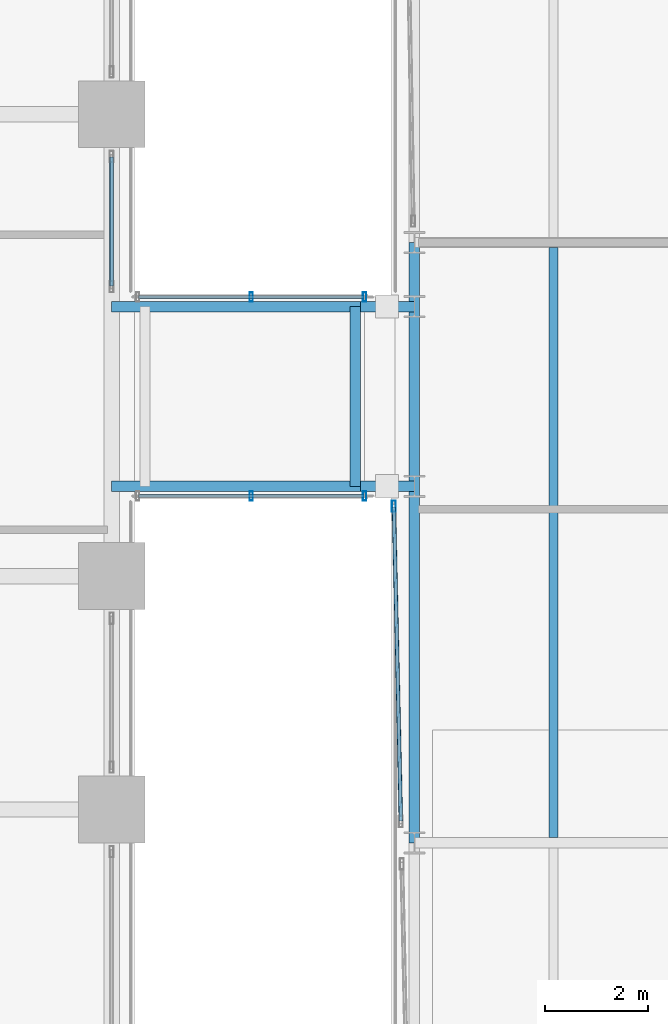
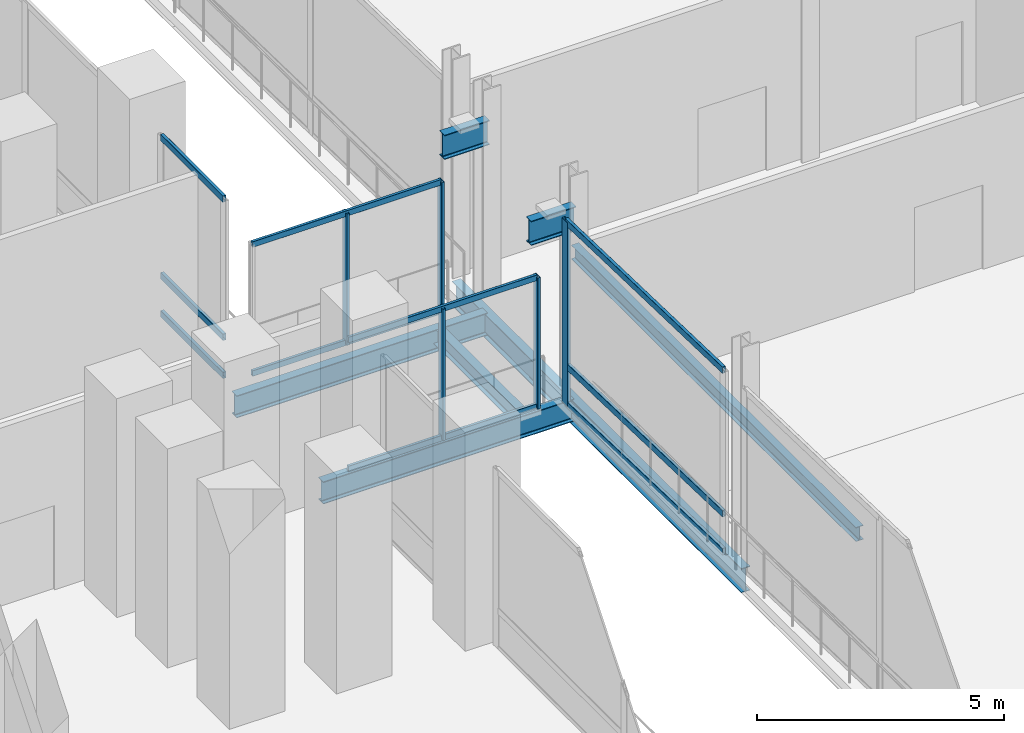
# One storey, part 13 of 32: 15 members, 7 beams, 4 elements without a shape of their own.
"""IFC4 building model written with IfcOpenShell, lengths in metres."""

import ifcopenshell
import ifcopenshell.guid

model = None  # the IFC model being written
_history = None  # IfcOwnerHistory: only IFC2X3 demands one
_inside = {}  # id of a spatial element -> (the spatial element, [elements in it])
_under = {}  # id of a project, library or spatial element -> (it, [spatial elements below it])
_declared = {}  # id of a project -> (the project, [libraries it declares])
_typed = {}  # id of a type object -> (the type object, [elements of that type])
_made_of = {}  # id of a material, layer set ... -> (it, [elements and type objects made of it])


def new_model(schema):
    """Start an empty IFC model of exactly this schema.

    Asked for "IFC4X3", IfcOpenShell would pick the latest addendum, in which some entities
    have other attributes; the version numbers below select the first issue.
    IFC2X3 requires an IfcOwnerHistory on every rooted entity: one is made here for all.
    """
    global model, _history
    if schema == "IFC4X3":
        model = ifcopenshell.file(schema_version=(4, 3, 0, 0))
    else:
        model = ifcopenshell.file(schema=schema)
    _inside.clear()
    _under.clear()
    _declared.clear()
    _typed.clear()
    _made_of.clear()
    _history = None
    if model.schema == "IFC2X3":
        org = make("IfcOrganization", Name="unknown")
        user = make(
            "IfcPersonAndOrganization",
            ThePerson=make("IfcPerson", FamilyName="unknown"),
            TheOrganization=org,
        )
        app = make(
            "IfcApplication",
            ApplicationDeveloper=org,
            Version="unknown",
            ApplicationFullName="unknown",
            ApplicationIdentifier="unknown",
        )
        _history = make(
            "IfcOwnerHistory",
            OwningUser=user,
            OwningApplication=app,
            ChangeAction="ADDED",
            CreationDate=0,
        )
    return model


def make(cls, **values):
    """One entity of the class cls with the attributes given. An attribute that is None is left unset."""
    return model.create_entity(
        cls, **{name: value for name, value in values.items() if value is not None}
    )


def rooted(cls, **values):
    """An entity with a GlobalId (a new one), such as an element, a storey or a relation."""
    return make(cls, GlobalId=ifcopenshell.guid.new(), OwnerHistory=_history, **values)


def si_unit(unit_type, name, prefix=None):
    """IfcSIUnit, for example si_unit("LENGTHUNIT", "METRE", prefix="MILLI")."""
    return make("IfcSIUnit", UnitType=unit_type, Prefix=prefix, Name=name)


def assignment(units):
    """IfcUnitAssignment: the units of a project."""
    return None if units is None else make("IfcUnitAssignment", Units=units)


def point(xyz):
    """IfcCartesianPoint."""
    return None if xyz is None else make("IfcCartesianPoint", Coordinates=xyz)


def direction(xyz):
    """IfcDirection."""
    return None if xyz is None else make("IfcDirection", DirectionRatios=xyz)


def frame(location, z_axis=None, x_axis=None):
    """IfcAxis2Placement3D, a coordinate frame: its origin and axes. An axis left out is left unset."""
    return make(
        "IfcAxis2Placement3D",
        Location=point(location),
        Axis=direction(z_axis),
        RefDirection=direction(x_axis),
    )


def frame_2d(location, x_axis=None):
    """IfcAxis2Placement2D, a coordinate frame in the plane: its origin and x axis."""
    return make(
        "IfcAxis2Placement2D", Location=point(location), RefDirection=direction(x_axis)
    )


def origin():
    """The frame at (0, 0, 0) with its axes left unset."""
    return frame((0.0, 0.0, 0.0))


def origin_2d():
    """The frame at (0, 0) in the plane with its x axis left unset."""
    return frame_2d((0.0, 0.0))


def place(relative_to, where):
    """IfcLocalPlacement: puts the frame where relative to a parent placement (None: the world)."""
    return make(
        "IfcLocalPlacement", PlacementRelTo=relative_to, RelativePlacement=where
    )


def context(
    kind, dimensions, precision=None, world=None, true_north=None, identifier=None
):
    """IfcGeometricRepresentationContext, for example the 3D "Model" context."""
    return make(
        "IfcGeometricRepresentationContext",
        ContextIdentifier=identifier,
        ContextType=kind,
        CoordinateSpaceDimension=dimensions,
        Precision=precision,
        WorldCoordinateSystem=world,
        TrueNorth=true_north,
    )


def subcontext(parent, identifier, kind, view, scale=None):
    """IfcGeometricRepresentationSubContext, for example "Body" below "Model"."""
    return make(
        "IfcGeometricRepresentationSubContext",
        ContextIdentifier=identifier,
        ContextType=kind,
        ParentContext=parent,
        TargetScale=scale,
        TargetView=view,
    )


def project(units=None, contexts=None):
    """IfcProject with its units and contexts."""
    return rooted(
        "IfcProject",
        Name="project",
        RepresentationContexts=contexts,
        UnitsInContext=assignment(units),
    )


def spatial(cls, under=None, at=None, **own):
    """A site, building, storey or space (cls), placed at a placement, below another one or the project."""
    s = rooted(cls, ObjectPlacement=at, **own)
    if under is not None:
        _under.setdefault(under.id(), (under, []))[1].append(s)
    return s


def profile(cls, at=None, kind="AREA", **sizes):
    """A parametric profile (cls). Its sizes go by their IFC names, for example OverallWidth=200.0."""
    return make(cls, ProfileType=kind, Position=at, **sizes)


def hollow_rectangle(**sizes):
    """IfcRectangleHollowProfileDef."""
    return profile("IfcRectangleHollowProfileDef", **sizes)


def i_section(**sizes):
    """IfcIShapeProfileDef."""
    return profile("IfcIShapeProfileDef", **sizes)


def extrude(swept, where, along, depth):
    """IfcExtrudedAreaSolid: the profile swept, set in the frame where, extruded along a direction by depth."""
    return make(
        "IfcExtrudedAreaSolid",
        SweptArea=swept,
        Position=where,
        ExtrudedDirection=direction(along),
        Depth=depth,
    )


def shape(context_of_items, identifier, shape_type, items):
    """IfcShapeRepresentation: the items that make up one representation, for example the "Body"."""
    return make(
        "IfcShapeRepresentation",
        ContextOfItems=context_of_items,
        RepresentationIdentifier=identifier,
        RepresentationType=shape_type,
        Items=items,
    )


def material(Name=None, Category=None):
    """IfcMaterial."""
    return make("IfcMaterial", Name=Name, Category=Category)


def material_profile(
    of_material, cross_section, Name=None, Category=None, Priority=None
):
    """IfcMaterialProfile: a cross section and its material."""
    return make(
        "IfcMaterialProfile",
        Name=Name,
        Material=of_material,
        Profile=cross_section,
        Priority=Priority,
        Category=Category,
    )


def profile_set(profiles, Name=None, composite=None):
    """IfcMaterialProfileSet."""
    return make(
        "IfcMaterialProfileSet",
        Name=Name,
        MaterialProfiles=profiles,
        CompositeProfile=composite,
    )


def made_of(thing, what):
    """Note that an element or type object is made of a material, layer set ...; save() writes the relation."""
    if what is not None:
        _made_of.setdefault(what.id(), (what, []))[1].append(thing)
    return thing


def type_object(cls, material=None, **own):
    """A type object (cls), such as IfcWallType, which elements share."""
    return made_of(rooted(cls, **own), material)


def element(
    cls,
    number,
    at=None,
    inside=None,
    cuts=None,
    type_object=None,
    material=None,
    context=None,
    identifier="Body",
    shape_type=None,
    held_by="IfcProductDefinitionShape",
    body=None,
    shapes=None,
    **own,
):
    """One element of the class cls, such as IfcWall. Its Tag is "e" and its number.

    at: its placement. inside: the storey or other place that contains it. cuts: it is an
    opening in that element (IfcRelVoidsElement). A single representation is given by context,
    identifier, shape_type and body (its items); several are given by shapes. held_by: the class
    of the entity that holds the representations. save() writes the other relations.
    """
    e = rooted(cls, Tag="e%d" % number, ObjectPlacement=at, **own)
    if body is not None:
        shapes = [shape(context, identifier, shape_type, body)]
    if shapes is not None:
        e.Representation = make(held_by, Representations=shapes)
    if inside is not None:
        _inside.setdefault(inside.id(), (inside, []))[1].append(e)
    if cuts is not None:
        rooted(
            "IfcRelVoidsElement", RelatingBuildingElement=cuts, RelatedOpeningElement=e
        )
    if type_object is not None:
        _typed.setdefault(type_object.id(), (type_object, []))[1].append(e)
    return made_of(e, material)


def aggregate(whole, parts):
    """IfcRelAggregates: a whole, such as a stair, and the parts it consists of."""
    return rooted("IfcRelAggregates", RelatingObject=whole, RelatedObjects=parts)


def save(model, path):
    """Write the relations noted so far, then the file.

    IfcRelAggregates (storeys below a building ...), IfcRelContainedInSpatialStructure (elements
    in a storey), IfcRelDefinesByType, IfcRelAssociatesMaterial and IfcRelDeclares: one each for
    every whole, place, type object, material and project.
    """
    for whole, parts in _under.values():
        aggregate(whole, parts)
    for where, things in _inside.values():
        rooted(
            "IfcRelContainedInSpatialStructure",
            RelatedElements=things,
            RelatingStructure=where,
        )
    for kind, things in _typed.values():
        rooted("IfcRelDefinesByType", RelatedObjects=things, RelatingType=kind)
    for what, things in _made_of.values():
        rooted("IfcRelAssociatesMaterial", RelatedObjects=things, RelatingMaterial=what)
    for by, libraries in _declared.values():
        rooted("IfcRelDeclares", RelatingContext=by, RelatedDefinitions=libraries)
    model.write(path)


model = new_model("IFC4")

# Units and contexts
model_context = context("Model", 3, precision=1e-05, world=origin(), true_north=direction((0.0, 1.0)))
body_context = subcontext(model_context, "Body", "Model", "MODEL_VIEW")
ifc_project = project(units=[si_unit("LENGTHUNIT", "METRE"), si_unit("AREAUNIT", "SQUARE_METRE"), si_unit("VOLUMEUNIT", "CUBIC_METRE"), si_unit("PLANEANGLEUNIT", "RADIAN"), si_unit("MASSUNIT", "GRAM", prefix="KILO")], contexts=[model_context])

# Site, building, storey
site_placement = place(None, origin())
site = spatial("IfcSite", under=ifc_project, at=site_placement, CompositionType="ELEMENT")
building_placement = place(site_placement, origin())
building = spatial("IfcBuilding", under=site, at=building_placement, Name="Noeulbin Bourse Tower", CompositionType="ELEMENT")
storey_placement = place(building_placement, frame((0.0, 0.0, 5.800048828125)))
storey = spatial("IfcBuildingStorey", under=building, at=storey_placement, Name="L02", CompositionType="ELEMENT", Elevation=5.800048828125)

# Beams
ifc_material_1 = material(Name="Steel S355", Category="steel")
ifc_material_profile_1 = material_profile(ifc_material_1, i_section(OverallWidth=0.199951171875, OverallDepth=0.550048828125, WebThickness=0.010009765625, FlangeThickness=0.01611328125, FilletRadius=0.02001953125, at=origin_2d()), Name="H-550x200x10x16", Category="LoadBearing")
ifc_profile_set_1 = profile_set([ifc_material_profile_1], Name="Steel S355")
beam_type_1 = type_object("IfcBeamType", Name="BM-GRD-550", PredefinedType="USERDEFINED", material=ifc_profile_set_1)
for number, where, z_axis, x_axis, name in (
    (1, (54.550048828125, 21.75, -0.47509765625), (1.0, 0.0, 0.0), (0.0, 1.0, 0.0), "Link Bridge Girder L02-1"),
    (2, (54.550048828125, 25.25, -0.47509765625), (1.0, 0.0, 0.0), (0.0, 1.0, 0.0), "Link Bridge Girder L02-2"),
):
    element("IfcBeam", number, at=place(storey_placement, frame(where, z_axis=z_axis, x_axis=x_axis)), inside=storey, type_object=beam_type_1, Name=name, ObjectType="GIRDER", PredefinedType="USERDEFINED", context=body_context, shape_type="SweptSolid", body=[
        extrude(i_section(OverallWidth=0.199951171875, OverallDepth=0.550048828125, WebThickness=0.010009765625, FlangeThickness=0.01611328125, FilletRadius=0.02001953125, at=origin_2d()), origin(), (0.0, 0.0, 1.0), 5.849853515625),
    ])
ifc_material_profile_2 = material_profile(ifc_material_1, i_section(OverallWidth=0.199951171875, OverallDepth=0.60009765625, WebThickness=0.010986328125, FlangeThickness=0.01708984375, FilletRadius=0.02197265625, at=origin_2d()), Name="H-600x200x11x17", Category="LoadBearing")
ifc_profile_set_2 = profile_set([ifc_material_profile_2], Name="Steel S355")
beam_type_2 = type_object("IfcBeamType", Name="BM-GRD-600", PredefinedType="USERDEFINED", material=ifc_profile_set_2)
beam_1_placement = place(storey_placement, frame((60.449951171875, 14.800048828125, -0.52001953125), z_axis=(0.0, 1.0, 0.0), x_axis=(-1.0, 0.0, 0.0)))
element("IfcBeam", 3, at=beam_1_placement, inside=storey, type_object=beam_type_2, Name="Market Hall Girder NS L02-12", ObjectType="GIRDER", PredefinedType="USERDEFINED", context=body_context, shape_type="SweptSolid", body=[
    extrude(i_section(OverallWidth=0.199951171875, OverallDepth=0.60009765625, WebThickness=0.010986328125, FlangeThickness=0.01708984375, FilletRadius=0.02197265625, at=origin_2d()), origin(), (0.0, 0.0, 1.0), 11.699951171875),
])
for number, where, z_axis, x_axis, name in (
    (4, (59.39990234375, 21.75, 4.22998046875), (1.0, 0.0, 0.0), (0.0, 1.0, 0.0), "Bridge Bearing Corbel Seat L03-1"),
    (5, (59.39990234375, 25.25, 4.22998046875), (1.0, 0.0, 0.0), (0.0, 1.0, 0.0), "Bridge Bearing Corbel Seat L03-2"),
):
    element("IfcBeam", number, at=place(storey_placement, frame(where, z_axis=z_axis, x_axis=x_axis)), inside=storey, type_object=beam_type_2, Name=name, ObjectType="GIRDER", PredefinedType="USERDEFINED", context=body_context, shape_type="SweptSolid", body=[
        extrude(i_section(OverallWidth=0.199951171875, OverallDepth=0.60009765625, WebThickness=0.010986328125, FlangeThickness=0.01708984375, FilletRadius=0.02197265625, at=origin_2d()), origin(), (0.0, 0.0, 1.0), 1.050048828125),
    ])
ifc_material_profile_3 = material_profile(ifc_material_1, i_section(OverallWidth=0.175048828125, OverallDepth=0.35009765625, WebThickness=0.007080078125, FlangeThickness=0.010986328125, FilletRadius=0.013916015625, at=origin_2d()), Name="H-350x175x7x11", Category="LoadBearing")
ifc_profile_set_3 = profile_set([ifc_material_profile_3], Name="Steel S355")
beam_type_3 = type_object("IfcBeamType", Name="BM-JST-350", PredefinedType="JOIST", material=ifc_profile_set_3)
beam_2_placement = place(storey_placement, frame((63.166748046875, 14.89990234375, -0.39501953125), z_axis=(0.0, 1.0, 0.0), x_axis=(-1.0, 0.0, 0.0)))
element("IfcBeam", 6, at=beam_2_placement, inside=storey, type_object=beam_type_3, Name="Market Hall Secondary Joist L02-02", PredefinedType="JOIST", context=body_context, shape_type="SweptSolid", body=[
    extrude(i_section(OverallWidth=0.175048828125, OverallDepth=0.35009765625, WebThickness=0.007080078125, FlangeThickness=0.010986328125, FilletRadius=0.013916015625, at=origin_2d()), origin(), (0.0, 0.0, 1.0), 11.5),
])
ifc_material_profile_4 = material_profile(ifc_material_1, i_section(OverallWidth=0.199951171875, OverallDepth=0.39990234375, WebThickness=0.008056640625, FlangeThickness=0.012939453125, FilletRadius=0.01611328125, at=origin_2d()), Name="H-400x200x8x13", Category="LoadBearing")
ifc_profile_set_4 = profile_set([ifc_material_profile_4], Name="Steel S355")
beam_type_4 = type_object("IfcBeamType", Name="BM-SEC-400", PredefinedType="BEAM", material=ifc_profile_set_4)
beam_3_placement = place(storey_placement, frame((59.300048828125, 21.75, -0.400146484375), z_axis=(0.0, 1.0, 0.0), x_axis=(-1.0, 0.0, 0.0)))
element("IfcBeam", 7, at=beam_3_placement, inside=storey, type_object=beam_type_4, Name="BM-L02-BRGX-2", PredefinedType="BEAM", context=body_context, shape_type="SweptSolid", body=[
    extrude(i_section(OverallWidth=0.199951171875, OverallDepth=0.39990234375, WebThickness=0.008056640625, FlangeThickness=0.012939453125, FilletRadius=0.01611328125, at=origin_2d()), origin(), (0.0, 0.0, 1.0), 3.5),
])

# Curtain wall, member
ifc_material_2 = material(Name="Laminated Clear Low-E Glass", Category="glass")
curtain_wall_type_1 = type_object("IfcCurtainWallType", Name="CW-SYS-1", PredefinedType="NOTDEFINED", material=ifc_material_2)
curtain_wall_1_placement = place(storey_placement, origin())
curtain_wall_1 = element("IfcCurtainWall", 8, at=curtain_wall_1_placement, inside=storey, type_object=curtain_wall_type_1, Name="Unitised Curtain Wall CW-L02-MKT-W1-S2", PredefinedType="NOTDEFINED")
ifc_material_3 = material(Name="Anodised Aluminium 6063-T6", Category="aluminium")
ifc_material_profile_5 = material_profile(ifc_material_3, hollow_rectangle(XDim=0.074951171875, YDim=0.219970703125, WallThickness=0.0048828125, InnerFilletRadius=0.00244140625, OuterFilletRadius=0.0048828125, at=origin_2d()), Name="ALU-MULL-75x220x5", Category="LoadBearing")
ifc_profile_set_5 = profile_set([ifc_material_profile_5], Name="Anodised Aluminium 6063-T6")
member_type_1 = type_object("IfcMemberType", Name="CW-SYS-1-MUL", PredefinedType="MULLION", material=ifc_profile_set_5)
member_1_placement = place(storey_placement, frame((60.05078125, 21.360107421875, -0.02001953125), z_axis=(0.0, 0.0, 1.0), x_axis=(1.0, 0.0, 0.0)))
member_1 = element("IfcMember", 9, at=member_1_placement, type_object=member_type_1, Name="Curtain Wall Mullion CW-L02-MKT-W1-S2-M01", PredefinedType="MULLION", context=body_context, shape_type="SweptSolid", body=[
    extrude(hollow_rectangle(XDim=0.074951171875, YDim=0.219970703125, WallThickness=0.0048828125, InnerFilletRadius=0.00244140625, OuterFilletRadius=0.0048828125, at=origin_2d()), origin(), (0.0, 0.0, 1.0), 4.5400390625),
])

# Curtain wall, members
curtain_wall_2_placement = place(storey_placement, origin())
curtain_wall_2 = element("IfcCurtainWall", 10, at=curtain_wall_2_placement, inside=storey, type_object=curtain_wall_type_1, Name="Unitised Curtain Wall CW-L02-POD-E2-S1", PredefinedType="NOTDEFINED")
ifc_material_profile_6 = material_profile(ifc_material_3, hollow_rectangle(XDim=0.074951171875, YDim=0.159912109375, WallThickness=0.0048828125, InnerFilletRadius=0.00244140625, OuterFilletRadius=0.0048828125, at=origin_2d()), Name="ALU-TRAN-75x160x5", Category="LoadBearing")
ifc_profile_set_6 = profile_set([ifc_material_profile_6], Name="Anodised Aluminium 6063-T6")
member_type_2 = type_object("IfcMemberType", Name="CW-SYS-1-TRN", PredefinedType="USERDEFINED", material=ifc_profile_set_6)
member_2_placement = place(storey_placement, frame((54.550048828125, 25.64990234375, 0.010009765625), z_axis=(0.0, 1.0, 0.0), x_axis=(-1.0, 0.0, 0.0)))
member_2 = element("IfcMember", 11, at=member_2_placement, type_object=member_type_2, Name="Curtain Wall Transom CW-L02-POD-E2-S1-T00", ObjectType="TRANSOM", PredefinedType="USERDEFINED", context=body_context, shape_type="SweptSolid", body=[
    extrude(hollow_rectangle(XDim=0.074951171875, YDim=0.159912109375, WallThickness=0.0048828125, InnerFilletRadius=0.00244140625, OuterFilletRadius=0.0048828125, at=origin_2d()), origin(), (0.0, 0.0, 1.0), 2.51513671875),
])
member_3_placement = place(storey_placement, frame((54.550048828125, 25.64990234375, 0.949951171875), z_axis=(0.0, 1.0, 0.0), x_axis=(-1.0, 0.0, 0.0)))
member_3 = element("IfcMember", 12, at=member_3_placement, type_object=member_type_2, Name="Curtain Wall Transom CW-L02-POD-E2-S1-T01", ObjectType="TRANSOM", PredefinedType="USERDEFINED", context=body_context, shape_type="SweptSolid", body=[
    extrude(hollow_rectangle(XDim=0.074951171875, YDim=0.159912109375, WallThickness=0.0048828125, InnerFilletRadius=0.00244140625, OuterFilletRadius=0.0048828125, at=origin_2d()), origin(), (0.0, 0.0, 1.0), 2.51513671875),
])
member_4_placement = place(storey_placement, frame((54.550048828125, 25.64990234375, 4.35986328125), z_axis=(0.0, 1.0, 0.0), x_axis=(-1.0, 0.0, 0.0)))
member_4 = element("IfcMember", 13, at=member_4_placement, type_object=member_type_2, Name="Curtain Wall Transom CW-L02-POD-E2-S1-T02", ObjectType="TRANSOM", PredefinedType="USERDEFINED", context=body_context, shape_type="SweptSolid", body=[
    extrude(hollow_rectangle(XDim=0.074951171875, YDim=0.159912109375, WallThickness=0.0048828125, InnerFilletRadius=0.00244140625, OuterFilletRadius=0.0048828125, at=origin_2d()), origin(), (0.0, 0.0, 1.0), 2.51513671875),
])
aggregate(curtain_wall_2, [member_2, member_3, member_4])

# Member
member_5_placement = place(storey_placement, frame((60.1875, 15.22412109375, 0.010009765625), z_axis=(-0.022272490553, 0.999751937315, 0.0), x_axis=(-0.999751937315, -0.022272490553, 0.0)))
member_5 = element("IfcMember", 14, at=member_5_placement, type_object=member_type_2, Name="Curtain Wall Transom CW-L02-MKT-W1-S2-T00", ObjectType="TRANSOM", PredefinedType="USERDEFINED", context=body_context, shape_type="SweptSolid", body=[
    extrude(hollow_rectangle(XDim=0.074951171875, YDim=0.159912109375, WallThickness=0.0048828125, InnerFilletRadius=0.00244140625, OuterFilletRadius=0.0048828125, at=origin_2d()), origin(), (0.0, 0.0, 1.0), 6.12744140625),
])

member_6_placement = place(storey_placement, frame((60.1875, 15.22412109375, 0.949951171875), z_axis=(-0.022272490553, 0.999751937315, 0.0), x_axis=(-0.999751937315, -0.022272490553, 0.0)))
member_6 = element("IfcMember", 15, at=member_6_placement, type_object=member_type_2, Name="Curtain Wall Transom CW-L02-MKT-W1-S2-T01", ObjectType="TRANSOM", PredefinedType="USERDEFINED", context=body_context, shape_type="SweptSolid", body=[
    extrude(hollow_rectangle(XDim=0.074951171875, YDim=0.159912109375, WallThickness=0.0048828125, InnerFilletRadius=0.00244140625, OuterFilletRadius=0.0048828125, at=origin_2d()), origin(), (0.0, 0.0, 1.0), 6.12744140625),
])

member_7_placement = place(storey_placement, frame((60.1875, 15.22412109375, 4.489990234375), z_axis=(-0.022272490553, 0.999751937315, 0.0), x_axis=(-0.999751937315, -0.022272490553, 0.0)))
member_7 = element("IfcMember", 16, at=member_7_placement, type_object=member_type_2, Name="Curtain Wall Transom CW-L02-MKT-W1-S2-T02", ObjectType="TRANSOM", PredefinedType="USERDEFINED", context=body_context, shape_type="SweptSolid", body=[
    extrude(hollow_rectangle(XDim=0.074951171875, YDim=0.159912109375, WallThickness=0.0048828125, InnerFilletRadius=0.00244140625, OuterFilletRadius=0.0048828125, at=origin_2d()), origin(), (0.0, 0.0, 1.0), 6.12744140625),
])

aggregate(curtain_wall_1, [member_1, member_5, member_6, member_7])

# Curtain wall, members
ifc_material_4 = material(Name="Acoustic Laminated Skylight Glazing", Category="glass")
curtain_wall_type_2 = type_object("IfcCurtainWallType", Name="CW-SYS-6", PredefinedType="NOTDEFINED", material=ifc_material_4)
curtain_wall_3_placement = place(storey_placement, origin())
curtain_wall_3 = element("IfcCurtainWall", 17, at=curtain_wall_3_placement, inside=storey, type_object=curtain_wall_type_2, Name="Unitised Curtain Wall CW-L02-BRG-S", PredefinedType="NOTDEFINED")
ifc_material_profile_7 = material_profile(ifc_material_3, hollow_rectangle(XDim=0.06494140625, YDim=0.179931640625, WallThickness=0.00390625, InnerFilletRadius=0.001953125, OuterFilletRadius=0.00390625, at=origin_2d()), Name="ALU-MULL-65x180x4", Category="LoadBearing")
ifc_profile_set_7 = profile_set([ifc_material_profile_7], Name="Anodised Aluminium 6063-T6")
member_type_3 = type_object("IfcMemberType", Name="CW-SYS-6-MUL", PredefinedType="MULLION", material=ifc_profile_set_7)
member_8_placement = place(storey_placement, frame((57.27001953125, 21.56005859375, -0.02001953125), z_axis=(0.0, 0.0, 1.0), x_axis=(1.0, 0.0, 0.0)))
member_8 = element("IfcMember", 18, at=member_8_placement, type_object=member_type_3, Name="Curtain Wall Mullion CW-L02-BRG-S-M01", PredefinedType="MULLION", context=body_context, shape_type="SweptSolid", body=[
    extrude(hollow_rectangle(XDim=0.06494140625, YDim=0.179931640625, WallThickness=0.00390625, InnerFilletRadius=0.001953125, OuterFilletRadius=0.00390625, at=origin_2d()), origin(), (0.0, 0.0, 1.0), 3.239990234375),
])
member_9_placement = place(storey_placement, frame((59.47998046875, 21.56005859375, -0.02001953125), z_axis=(0.0, 0.0, 1.0), x_axis=(1.0, 0.0, 0.0)))
member_9 = element("IfcMember", 19, at=member_9_placement, type_object=member_type_3, Name="Curtain Wall Mullion CW-L02-BRG-S-M02", PredefinedType="MULLION", context=body_context, shape_type="SweptSolid", body=[
    extrude(hollow_rectangle(XDim=0.06494140625, YDim=0.179931640625, WallThickness=0.00390625, InnerFilletRadius=0.001953125, OuterFilletRadius=0.00390625, at=origin_2d()), origin(), (0.0, 0.0, 1.0), 3.239990234375),
])

curtain_wall_4_placement = place(storey_placement, origin())
curtain_wall_4 = element("IfcCurtainWall", 20, at=curtain_wall_4_placement, inside=storey, type_object=curtain_wall_type_2, Name="Unitised Curtain Wall CW-L02-BRG-N", PredefinedType="NOTDEFINED")
member_10_placement = place(storey_placement, frame((57.27001953125, 25.43994140625, -0.02001953125), z_axis=(0.0, 0.0, 1.0), x_axis=(1.0, 0.0, 0.0)))
member_10 = element("IfcMember", 21, at=member_10_placement, type_object=member_type_3, Name="Curtain Wall Mullion CW-L02-BRG-N-M01", PredefinedType="MULLION", context=body_context, shape_type="SweptSolid", body=[
    extrude(hollow_rectangle(XDim=0.06494140625, YDim=0.179931640625, WallThickness=0.00390625, InnerFilletRadius=0.001953125, OuterFilletRadius=0.00390625, at=origin_2d()), origin(), (0.0, 0.0, 1.0), 3.239990234375),
])
member_11_placement = place(storey_placement, frame((59.47998046875, 25.43994140625, -0.02001953125), z_axis=(0.0, 0.0, 1.0), x_axis=(1.0, 0.0, 0.0)))
member_11 = element("IfcMember", 22, at=member_11_placement, type_object=member_type_3, Name="Curtain Wall Mullion CW-L02-BRG-N-M02", PredefinedType="MULLION", context=body_context, shape_type="SweptSolid", body=[
    extrude(hollow_rectangle(XDim=0.06494140625, YDim=0.179931640625, WallThickness=0.00390625, InnerFilletRadius=0.001953125, OuterFilletRadius=0.00390625, at=origin_2d()), origin(), (0.0, 0.0, 1.0), 3.239990234375),
])

# Member
ifc_material_profile_8 = material_profile(ifc_material_3, hollow_rectangle(XDim=0.06494140625, YDim=0.139892578125, WallThickness=0.00390625, InnerFilletRadius=0.001953125, OuterFilletRadius=0.00390625, at=origin_2d()), Name="ALU-TRAN-65x140x4", Category="LoadBearing")
ifc_profile_set_8 = profile_set([ifc_material_profile_8], Name="Anodised Aluminium 6063-T6")
member_type_4 = type_object("IfcMemberType", Name="CW-SYS-6-TRN", PredefinedType="USERDEFINED", material=ifc_profile_set_8)
member_12_placement = place(storey_placement, frame((55.070068359375, 21.56005859375, 0.010009765625), z_axis=(1.0, 0.0, 0.0), x_axis=(0.0, 1.0, 0.0)))
member_12 = element("IfcMember", 23, at=member_12_placement, type_object=member_type_4, Name="Curtain Wall Transom CW-L02-BRG-S-T00", ObjectType="TRANSOM", PredefinedType="USERDEFINED", context=body_context, shape_type="SweptSolid", body=[
    extrude(hollow_rectangle(XDim=0.06494140625, YDim=0.139892578125, WallThickness=0.00390625, InnerFilletRadius=0.001953125, OuterFilletRadius=0.00390625, at=origin_2d()), origin(), (0.0, 0.0, 1.0), 4.39990234375),
])

member_13_placement = place(storey_placement, frame((55.070068359375, 21.56005859375, 3.18994140625), z_axis=(1.0, 0.0, 0.0), x_axis=(0.0, 1.0, 0.0)))
member_13 = element("IfcMember", 24, at=member_13_placement, type_object=member_type_4, Name="Curtain Wall Transom CW-L02-BRG-S-T01", ObjectType="TRANSOM", PredefinedType="USERDEFINED", context=body_context, shape_type="SweptSolid", body=[
    extrude(hollow_rectangle(XDim=0.06494140625, YDim=0.139892578125, WallThickness=0.00390625, InnerFilletRadius=0.001953125, OuterFilletRadius=0.00390625, at=origin_2d()), origin(), (0.0, 0.0, 1.0), 4.39990234375),
])

aggregate(curtain_wall_3, [member_8, member_9, member_12, member_13])

member_14_placement = place(storey_placement, frame((55.070068359375, 25.43994140625, 0.010009765625), z_axis=(1.0, 0.0, 0.0), x_axis=(0.0, 1.0, 0.0)))
member_14 = element("IfcMember", 25, at=member_14_placement, type_object=member_type_4, Name="Curtain Wall Transom CW-L02-BRG-N-T00", ObjectType="TRANSOM", PredefinedType="USERDEFINED", context=body_context, shape_type="SweptSolid", body=[
    extrude(hollow_rectangle(XDim=0.06494140625, YDim=0.139892578125, WallThickness=0.00390625, InnerFilletRadius=0.001953125, OuterFilletRadius=0.00390625, at=origin_2d()), origin(), (0.0, 0.0, 1.0), 4.39990234375),
])

member_15_placement = place(storey_placement, frame((55.070068359375, 25.43994140625, 3.18994140625), z_axis=(1.0, 0.0, 0.0), x_axis=(0.0, 1.0, 0.0)))
member_15 = element("IfcMember", 26, at=member_15_placement, type_object=member_type_4, Name="Curtain Wall Transom CW-L02-BRG-N-T01", ObjectType="TRANSOM", PredefinedType="USERDEFINED", context=body_context, shape_type="SweptSolid", body=[
    extrude(hollow_rectangle(XDim=0.06494140625, YDim=0.139892578125, WallThickness=0.00390625, InnerFilletRadius=0.001953125, OuterFilletRadius=0.00390625, at=origin_2d()), origin(), (0.0, 0.0, 1.0), 4.39990234375),
])

aggregate(curtain_wall_4, [member_10, member_11, member_14, member_15])

save(model, "model.ifc")
